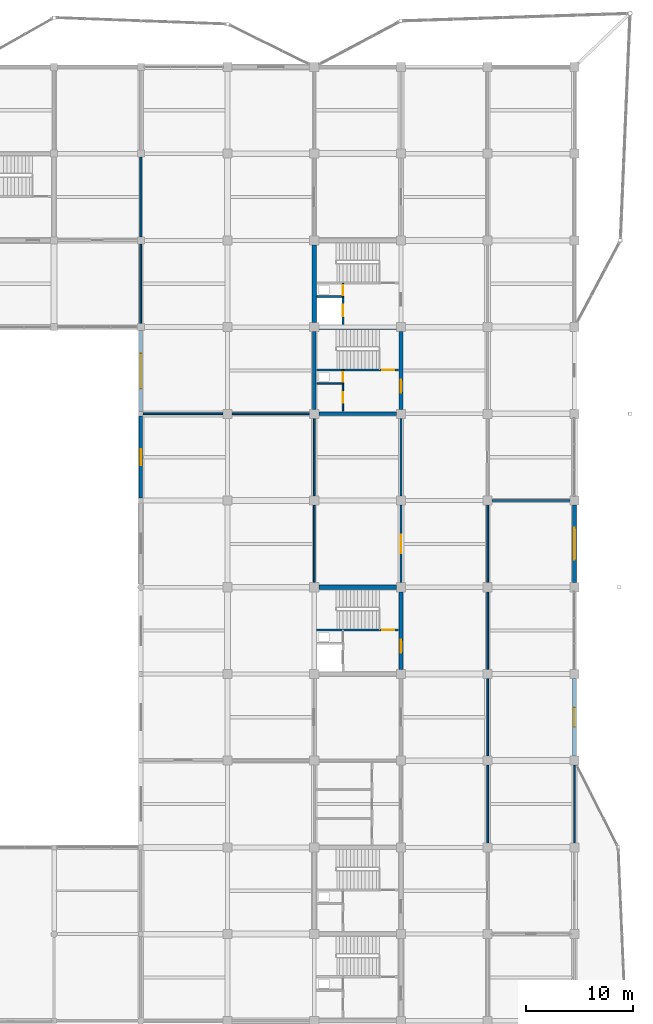
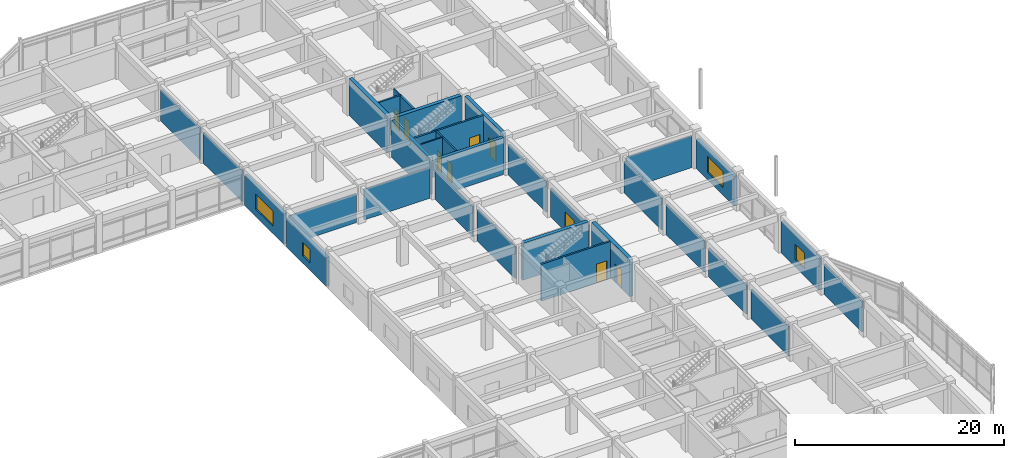
# One storey, part 71 of 93: 33 walls, 9 doors, 4 windows, 13 openings.
"""IFC4 building model written with IfcOpenShell, lengths in metres."""

from ifc_helpers import new_model, si_unit, direction, frame, frame_2d, origin, place, context, subcontext, project, spatial, rectangle, extrude, material, layer, layer_set, type_object, element, fill, save


model = new_model("IFC4")

# Units and contexts
model_context = context("Model", 3, precision=1e-05, world=origin(), true_north=direction((0.0, 1.0)))
body_context = subcontext(model_context, "Body", "Model", "MODEL_VIEW")
ifc_project = project(units=[si_unit("LENGTHUNIT", "METRE"), si_unit("AREAUNIT", "SQUARE_METRE"), si_unit("VOLUMEUNIT", "CUBIC_METRE"), si_unit("PLANEANGLEUNIT", "RADIAN"), si_unit("MASSUNIT", "GRAM", prefix="KILO")], contexts=[model_context])

# Site, building, storey
site_placement = place(None, origin())
site = spatial("IfcSite", under=ifc_project, at=site_placement, CompositionType="ELEMENT")
building_placement = place(site_placement, origin())
building = spatial("IfcBuilding", under=site, at=building_placement, Name="Vaudrelin Polytechnic", CompositionType="ELEMENT")
storey_placement = place(building_placement, frame((0.0, 0.0, 5.10009765625)))
storey = spatial("IfcBuildingStorey", under=building, at=storey_placement, Name="L01", CompositionType="ELEMENT", Elevation=5.10009765625)

# Wall, opening, window
ifc_material_1 = material(Name="Precast concrete 35 MPa with terracotta baguette screen", Category="masonry")
ifc_layer_1 = layer(ifc_material_1, 0.35009765625)
ifc_layer_set_1 = layer_set([ifc_layer_1], Name="Precast concrete 35 MPa with terracotta baguette screen")
wall_type_1 = type_object("IfcWallType", Name="WAL-EW-TERR350", PredefinedType="STANDARD", material=ifc_layer_set_1)
wall_1_placement = place(storey_placement, frame((170.10009765625, 57.123046875, 0.0), z_axis=(0.0, 0.0, 1.0), x_axis=(0.0, 1.0, 0.0)))
wall_1 = element("IfcWall", 1, at=wall_1_placement, inside=storey, type_object=wall_type_1, Name="Exterior wall L01 E_V4_05", PredefinedType="STANDARD", context=body_context, shape_type="SweptSolid", body=[
    extrude(rectangle(XDim=7.25390625, YDim=0.35009765625, at=frame_2d((3.626953125, 0.0))), origin(), (0.0, 0.0, 1.0), 3.661865234375),
])
opening_1_placement = place(wall_1_placement, frame((2.72705078125, 0.0, 0.85009765625)))
opening_1 = element("IfcOpeningElement", 2, at=opening_1_placement, cuts=wall_1, Name="Opening W-L01-E-V4-06", PredefinedType="OPENING", context=body_context, shape_type="SweptSolid", body=[
    extrude(rectangle(XDim=1.800048828125, YDim=1.800048828125, at=frame_2d((0.89990234375, 0.89990234375))), frame((0.0, 0.18505859375, 0.0), z_axis=(0.0, -1.0, 0.0), x_axis=(1.0, 0.0, 0.0)), (0.0, 0.0, 1.0), 0.3701171875),
])
ifc_material_2 = material(Name="Thermally broken aluminium frame with triple low-e glazing", Category="aluminium")
window_type_1 = type_object("IfcWindowType", Name="WIN-WN-02", PartitioningType="SINGLE_PANEL", PredefinedType="WINDOW", material=ifc_material_2)
window_1_placement = place(opening_1_placement, origin())
window_1 = element("IfcWindow", 3, at=window_1_placement, inside=storey, type_object=window_type_1, Name="Facade window L01-E_V4_05", OverallHeight=1.800048828125, OverallWidth=1.800048828125, PartitioningType="SINGLE_PANEL", PredefinedType="WINDOW", context=body_context, shape_type="SweptSolid", body=[
    extrude(rectangle(XDim=1.800048828125, YDim=1.800048828125, at=frame_2d((0.89990234375, 0.89990234375))), frame((0.0, 0.030029296875, 0.0), z_axis=(0.0, -1.0, 0.0), x_axis=(1.0, 0.0, 0.0)), (0.0, 0.0, 1.0), 0.06005859375),
])
fill(opening_1, window_1)

wall_2_placement = place(storey_placement, frame((170.10009765625, 73.322998046875, 0.0), z_axis=(0.0, 0.0, 1.0), x_axis=(0.0, 1.0, 0.0)))
wall_2 = element("IfcWall", 4, at=wall_2_placement, inside=storey, type_object=wall_type_1, Name="Exterior wall L01 E_V4_07", PredefinedType="STANDARD", context=body_context, shape_type="SweptSolid", body=[
    extrude(rectangle(XDim=7.25390625, YDim=0.35009765625, at=frame_2d((3.626953125, 0.0))), origin(), (0.0, 0.0, 1.0), 3.4619140625),
])
opening_2_placement = place(wall_2_placement, frame((2.126953125, 0.0, 0.85009765625)))
opening_2 = element("IfcOpeningElement", 5, at=opening_2_placement, cuts=wall_2, Name="Opening W-L01-E-V4-08", PredefinedType="OPENING", context=body_context, shape_type="SweptSolid", body=[
    extrude(rectangle(XDim=3.0, YDim=1.89990234375, at=frame_2d((1.5, 0.949951171875))), frame((0.0, 0.18505859375, 0.0), z_axis=(0.0, -1.0, 0.0), x_axis=(1.0, 0.0, 0.0)), (0.0, 0.0, 1.0), 0.3701171875),
])
window_type_2 = type_object("IfcWindowType", Name="WIN-WN-03", PartitioningType="SINGLE_PANEL", PredefinedType="WINDOW", material=ifc_material_2)
window_2_placement = place(opening_2_placement, origin())
window_2 = element("IfcWindow", 6, at=window_2_placement, inside=storey, type_object=window_type_2, Name="Facade window L01-E_V4_07", OverallHeight=1.89990234375, OverallWidth=3.0, PartitioningType="SINGLE_PANEL", PredefinedType="WINDOW", context=body_context, shape_type="SweptSolid", body=[
    extrude(rectangle(XDim=3.0, YDim=1.89990234375, at=frame_2d((1.5, 0.949951171875))), frame((0.0, 0.030029296875, 0.0), z_axis=(0.0, -1.0, 0.0), x_axis=(1.0, 0.0, 0.0)), (0.0, 0.0, 1.0), 0.06005859375),
])
fill(opening_2, window_2)

wall_3_placement = place(storey_placement, frame((129.60009765625, 81.222900390625, 0.0), z_axis=(0.0, 0.0, 1.0), x_axis=(0.0, 1.0, 0.0)))
wall_3 = element("IfcWall", 7, at=wall_3_placement, inside=storey, type_object=wall_type_1, Name="Exterior wall L01 CT_E_04", PredefinedType="STANDARD", context=body_context, shape_type="SweptSolid", body=[
    extrude(rectangle(XDim=7.654052734375, YDim=0.35009765625, at=frame_2d((3.8271484375, 0.0))), origin(), (0.0, 0.0, 1.0), 3.36181640625),
])
opening_3_placement = place(wall_3_placement, frame((3.076904296875, 0.0, 0.85009765625)))
opening_3 = element("IfcOpeningElement", 8, at=opening_3_placement, cuts=wall_3, Name="Opening W-L01-CT-E-05", PredefinedType="OPENING", context=body_context, shape_type="SweptSolid", body=[
    extrude(rectangle(XDim=1.5, YDim=1.550048828125, at=frame_2d((0.75, 0.77490234375))), frame((0.0, 0.18505859375, 0.0), z_axis=(0.0, -1.0, 0.0), x_axis=(1.0, 0.0, 0.0)), (0.0, 0.0, 1.0), 0.3701171875),
])
window_type_3 = type_object("IfcWindowType", Name="WIN-WN-24", PartitioningType="SINGLE_PANEL", PredefinedType="WINDOW", material=ifc_material_2)
window_3_placement = place(opening_3_placement, origin())
window_3 = element("IfcWindow", 9, at=window_3_placement, inside=storey, type_object=window_type_3, Name="Facade window L01-CT_E_04", OverallHeight=1.550048828125, OverallWidth=1.5, PartitioningType="SINGLE_PANEL", PredefinedType="WINDOW", context=body_context, shape_type="SweptSolid", body=[
    extrude(rectangle(XDim=1.5, YDim=1.550048828125, at=frame_2d((0.75, 0.77490234375))), frame((0.0, 0.030029296875, 0.0), z_axis=(0.0, -1.0, 0.0), x_axis=(1.0, 0.0, 0.0)), (0.0, 0.0, 1.0), 0.06005859375),
])
fill(opening_3, window_3)

wall_4_placement = place(storey_placement, frame((129.60009765625, 89.322998046875, 0.0), z_axis=(0.0, 0.0, 1.0), x_axis=(0.0, 1.0, 0.0)))
wall_4 = element("IfcWall", 10, at=wall_4_placement, inside=storey, type_object=wall_type_1, Name="Exterior wall L01 CT_E_05", PredefinedType="STANDARD", context=body_context, shape_type="SweptSolid", body=[
    extrude(rectangle(XDim=7.553955078125, YDim=0.35009765625, at=frame_2d((3.77685546875, 0.0))), origin(), (0.0, 0.0, 1.0), 3.56201171875),
])
opening_4_placement = place(wall_4_placement, frame((2.126953125, 0.0, 0.85009765625)))
opening_4 = element("IfcOpeningElement", 11, at=opening_4_placement, cuts=wall_4, Name="Opening W-L01-CT-E-06", PredefinedType="OPENING", context=body_context, shape_type="SweptSolid", body=[
    extrude(rectangle(XDim=3.300048828125, YDim=1.800048828125, at=frame_2d((1.64990234375, 0.89990234375))), frame((0.0, 0.18505859375, 0.0), z_axis=(0.0, -1.0, 0.0), x_axis=(1.0, 0.0, 0.0)), (0.0, 0.0, 1.0), 0.3701171875),
])
window_type_4 = type_object("IfcWindowType", Name="WIN-WN-25", PartitioningType="SINGLE_PANEL", PredefinedType="WINDOW", material=ifc_material_2)
window_4_placement = place(opening_4_placement, origin())
window_4 = element("IfcWindow", 12, at=window_4_placement, inside=storey, type_object=window_type_4, Name="Facade window L01-CT_E_05", OverallHeight=1.800048828125, OverallWidth=3.300048828125, PartitioningType="SINGLE_PANEL", PredefinedType="WINDOW", context=body_context, shape_type="SweptSolid", body=[
    extrude(rectangle(XDim=3.300048828125, YDim=1.800048828125, at=frame_2d((1.64990234375, 0.89990234375))), frame((0.0, 0.030029296875, 0.0), z_axis=(0.0, -1.0, 0.0), x_axis=(1.0, 0.0, 0.0)), (0.0, 0.0, 1.0), 0.06005859375),
])
fill(opening_4, window_4)

# Wall
ifc_material_3 = material(Name="Acoustic double-stud gypsum & mineral-wool partition", Category="gypsum")
ifc_layer_2 = layer(ifc_material_3, 0.179931640625)
ifc_layer_set_2 = layer_set([ifc_layer_2], Name="Acoustic double-stud gypsum & mineral-wool partition")
wall_type_2 = type_object("IfcWallType", Name="WAL-PW-AC180", PredefinedType="PARTITIONING", material=ifc_layer_set_2)
wall_5_placement = place(storey_placement, frame((129.60009765625, 105.623046875, 0.0), z_axis=(0.0, 0.0, 1.0), x_axis=(0.0, 1.0, 0.0)))
element("IfcWall", 13, at=wall_5_placement, inside=storey, type_object=wall_type_2, Name="Partition L01-020 E", PredefinedType="PARTITIONING", context=body_context, shape_type="SweptSolid", body=[
    extrude(rectangle(XDim=7.453857421875, YDim=0.179931640625, at=frame_2d((3.72705078125, 0.0))), origin(), (0.0, 0.0, 1.0), 3.65185546875),
])

# Wall, opening, door
ifc_material_4 = material(Name="Fire-rated steel-stud gypsum compartment wall", Category="steel")
ifc_layer_3 = layer(ifc_material_4, 0.14990234375)
ifc_layer_set_3 = layer_set([ifc_layer_3], Name="Fire-rated steel-stud gypsum compartment wall")
wall_type_3 = type_object("IfcWallType", Name="WAL-PW-FIRE60", PredefinedType="PARTITIONING", material=ifc_layer_set_3)
wall_6_placement = place(storey_placement, frame((148.47998046875, 100.050048828125, 0.0), z_axis=(0.0, 0.0, 1.0), x_axis=(0.0, 1.0, 0.0)))
wall_6 = element("IfcWall", 14, at=wall_6_placement, inside=storey, type_object=wall_type_3, Name="Core C6 riser enclosure wall L01", PredefinedType="PARTITIONING", context=body_context, shape_type="SweptSolid", body=[
    extrude(rectangle(XDim=1.260009765625, YDim=0.14990234375, at=frame_2d((0.6298828125, 0.0))), origin(), (0.0, 0.0, 1.0), 4.31201171875),
])
opening_5_placement = place(wall_6_placement, frame((0.139892578125, 0.0, 0.0)))
opening_5 = element("IfcOpeningElement", 15, at=opening_5_placement, cuts=wall_6, Name="Opening D-L01-092", PredefinedType="OPENING", context=body_context, shape_type="SweptSolid", body=[
    extrude(rectangle(XDim=0.89990234375, YDim=2.14990234375, at=frame_2d((0.449951171875, 1.074951171875))), frame((0.0, 0.0849609375, 0.0), z_axis=(0.0, -1.0, 0.0), x_axis=(1.0, 0.0, 0.0)), (0.0, 0.0, 1.0), 0.169921875),
])
ifc_material_5 = material(Name="Pressed galvanised steel acoustic leaf", Category="steel")
door_type_1 = type_object("IfcDoorType", Name="DOR-ID-RSR1", OperationType="NOTDEFINED", PredefinedType="DOOR", material=ifc_material_5)
door_1_placement = place(opening_5_placement, origin())
door_1 = element("IfcDoor", 16, at=door_1_placement, inside=storey, type_object=door_type_1, Name="Core C6 riser access door L01", OperationType="SINGLE_SWING_RIGHT", OverallHeight=2.14990234375, OverallWidth=0.89990234375, PredefinedType="DOOR", context=body_context, shape_type="SweptSolid", body=[
    extrude(rectangle(XDim=0.89990234375, YDim=2.14990234375, at=frame_2d((0.449951171875, 1.074951171875))), frame((0.0, 0.02490234375, 0.0), z_axis=(0.0, -1.0, 0.0), x_axis=(1.0, 0.0, 0.0)), (0.0, 0.0, 1.0), 0.050048828125),
])
fill(opening_5, door_1)

wall_7_placement = place(storey_placement, frame((148.47998046875, 91.949951171875, 0.0), z_axis=(0.0, 0.0, 1.0), x_axis=(0.0, 1.0, 0.0)))
wall_7 = element("IfcWall", 17, at=wall_7_placement, inside=storey, type_object=wall_type_3, Name="Core C13 riser enclosure wall L01", PredefinedType="PARTITIONING", context=body_context, shape_type="SweptSolid", body=[
    extrude(rectangle(XDim=1.260009765625, YDim=0.14990234375, at=frame_2d((0.6298828125, 0.0))), origin(), (0.0, 0.0, 1.0), 4.31201171875),
])
opening_6_placement = place(wall_7_placement, frame((0.139892578125, 0.0, 0.0)))
opening_6 = element("IfcOpeningElement", 18, at=opening_6_placement, cuts=wall_7, Name="Opening D-L01-303", PredefinedType="OPENING", context=body_context, shape_type="SweptSolid", body=[
    extrude(rectangle(XDim=0.89990234375, YDim=2.14990234375, at=frame_2d((0.449951171875, 1.074951171875))), frame((0.0, 0.0849609375, 0.0), z_axis=(0.0, -1.0, 0.0), x_axis=(1.0, 0.0, 0.0)), (0.0, 0.0, 1.0), 0.169921875),
])
door_2_placement = place(opening_6_placement, origin())
door_2 = element("IfcDoor", 19, at=door_2_placement, inside=storey, type_object=door_type_1, Name="Core C13 riser access door L01", OperationType="SINGLE_SWING_RIGHT", OverallHeight=2.14990234375, OverallWidth=0.89990234375, PredefinedType="DOOR", context=body_context, shape_type="SweptSolid", body=[
    extrude(rectangle(XDim=0.89990234375, YDim=2.14990234375, at=frame_2d((0.449951171875, 1.074951171875))), frame((0.0, 0.02490234375, 0.0), z_axis=(0.0, -1.0, 0.0), x_axis=(1.0, 0.0, 0.0)), (0.0, 0.0, 1.0), 0.050048828125),
])
fill(opening_6, door_2)

# Wall
wall_8_placement = place(storey_placement, frame((146.02001953125, 91.949951171875, 0.0), z_axis=(0.0, 0.0, 1.0), x_axis=(1.0, 0.0, 0.0)))
element("IfcWall", 20, at=wall_8_placement, inside=storey, type_object=wall_type_3, Name="Core C13 riser south fire wall L01", PredefinedType="PARTITIONING", context=body_context, shape_type="SweptSolid", body=[
    extrude(rectangle(XDim=2.530029296875, YDim=0.14990234375, at=frame_2d((1.26513671875, 0.0))), origin(), (0.0, 0.0, 1.0), 4.31201171875),
])

# Wall, opening, door
wall_9_placement = place(storey_placement, frame((148.47998046875, 89.35009765625, 0.0), z_axis=(0.0, 0.0, 1.0), x_axis=(0.0, 1.0, 0.0)))
wall_9 = element("IfcWall", 21, at=wall_9_placement, inside=storey, type_object=wall_type_3, Name="Core C13 custodial enclosure wall L01", PredefinedType="PARTITIONING", context=body_context, shape_type="SweptSolid", body=[
    extrude(rectangle(XDim=2.599853515625, YDim=0.14990234375, at=frame_2d((1.2998046875, 0.0))), origin(), (0.0, 0.0, 1.0), 4.31201171875),
])
opening_7_placement = place(wall_9_placement, frame((0.800048828125, 0.0, 0.0)))
opening_7 = element("IfcOpeningElement", 22, at=opening_7_placement, cuts=wall_9, Name="Opening D-L01-304", PredefinedType="OPENING", context=body_context, shape_type="SweptSolid", body=[
    extrude(rectangle(XDim=0.949951171875, YDim=2.14990234375, at=frame_2d((0.47509765625, 1.074951171875))), frame((0.0, 0.0849609375, 0.0), z_axis=(0.0, -1.0, 0.0), x_axis=(1.0, 0.0, 0.0)), (0.0, 0.0, 1.0), 0.169921875),
])
door_type_2 = type_object("IfcDoorType", Name="DOR-ID-STR1", OperationType="NOTDEFINED", PredefinedType="DOOR", material=ifc_material_5)
door_3_placement = place(opening_7_placement, origin())
door_3 = element("IfcDoor", 23, at=door_3_placement, inside=storey, type_object=door_type_2, Name="Core C13 custodial door L01", OperationType="SINGLE_SWING_RIGHT", OverallHeight=2.14990234375, OverallWidth=0.949951171875, PredefinedType="DOOR", context=body_context, shape_type="SweptSolid", body=[
    extrude(rectangle(XDim=0.949951171875, YDim=2.14990234375, at=frame_2d((0.47509765625, 1.074951171875))), frame((0.0, 0.02490234375, 0.0), z_axis=(0.0, -1.0, 0.0), x_axis=(1.0, 0.0, 0.0)), (0.0, 0.0, 1.0), 0.050048828125),
])
fill(opening_7, door_3)

# Walls
ifc_material_6 = material(Name="Moisture- and chemical-resistant laboratory partition", Category="gypsum")
ifc_layer_4 = layer(ifc_material_6, 0.159912109375)
ifc_layer_set_4 = layer_set([ifc_layer_4], Name="Moisture- and chemical-resistant laboratory partition")
wall_type_4 = type_object("IfcWallType", Name="WAL-PW-LAB160", PredefinedType="PARTITIONING", material=ifc_layer_set_4)
wall_10_placement = place(storey_placement, frame((145.800048828125, 73.322998046875, 0.0), z_axis=(0.0, 0.0, 1.0), x_axis=(0.0, 1.0, 0.0)))
element("IfcWall", 24, at=wall_10_placement, inside=storey, type_object=wall_type_4, Name="Partition L01-023 E", PredefinedType="PARTITIONING", context=body_context, shape_type="SweptSolid", body=[
    extrude(rectangle(XDim=7.25390625, YDim=0.159912109375, at=frame_2d((3.626953125, 0.0))), origin(), (0.0, 0.0, 1.0), 3.7119140625),
])
wall_11_placement = place(storey_placement, frame((145.800048828125, 81.423095703125, 0.0), z_axis=(0.0, 0.0, 1.0), x_axis=(0.0, 1.0, 0.0)))
element("IfcWall", 25, at=wall_11_placement, inside=storey, type_object=wall_type_4, Name="Partition L01-023 E", PredefinedType="PARTITIONING", context=body_context, shape_type="SweptSolid", body=[
    extrude(rectangle(XDim=7.25390625, YDim=0.159912109375, at=frame_2d((3.626953125, 0.0))), origin(), (0.0, 0.0, 1.0), 3.4619140625),
])
wall_12_placement = place(storey_placement, frame((129.822998046875, 89.10009765625, 0.0), z_axis=(0.0, 0.0, 1.0), x_axis=(1.0, 0.0, 0.0)))
element("IfcWall", 26, at=wall_12_placement, inside=storey, type_object=wall_type_4, Name="Partition L01-023 N", PredefinedType="PARTITIONING", context=body_context, shape_type="SweptSolid", body=[
    extrude(rectangle(XDim=7.4541015625, YDim=0.159912109375, at=frame_2d((3.72705078125, 0.0))), origin(), (0.0, 0.0, 1.0), 3.36181640625),
])
wall_13_placement = place(storey_placement, frame((138.123046875, 89.10009765625, 0.0), z_axis=(0.0, 0.0, 1.0), x_axis=(1.0, 0.0, 0.0)))
element("IfcWall", 27, at=wall_13_placement, inside=storey, type_object=wall_type_4, Name="Partition L01-023 N", PredefinedType="PARTITIONING", context=body_context, shape_type="SweptSolid", body=[
    extrude(rectangle(XDim=7.25390625, YDim=0.159912109375, at=frame_2d((3.626953125, 0.0))), origin(), (0.0, 0.0, 1.0), 3.56201171875),
])

# Wall, opening, door
wall_14_placement = place(storey_placement, frame((153.89990234375, 73.322998046875, 0.0), z_axis=(0.0, 0.0, 1.0), x_axis=(0.0, 1.0, 0.0)))
wall_14 = element("IfcWall", 28, at=wall_14_placement, inside=storey, type_object=wall_type_4, Name="Partition L01-024 E", PredefinedType="PARTITIONING", context=body_context, shape_type="SweptSolid", body=[
    extrude(rectangle(XDim=7.25390625, YDim=0.159912109375, at=frame_2d((3.626953125, 0.0))), origin(), (0.0, 0.0, 1.0), 3.36181640625),
])
opening_8_placement = place(wall_14_placement, frame((2.76708984375, 0.0, 0.0)))
opening_8 = element("IfcOpeningElement", 29, at=opening_8_placement, cuts=wall_14, Name="Opening D-L01-460", PredefinedType="OPENING", context=body_context, shape_type="SweptSolid", body=[
    extrude(rectangle(XDim=1.719970703125, YDim=2.300048828125, at=frame_2d((0.85986328125, 1.14990234375))), frame((0.0, 0.08984375, 0.0), z_axis=(0.0, -1.0, 0.0), x_axis=(1.0, 0.0, 0.0)), (0.0, 0.0, 1.0), 0.179931640625),
])
door_type_3 = type_object("IfcDoorType", Name="DOR-ID-LAB5", OperationType="NOTDEFINED", PredefinedType="DOOR", material=ifc_material_5)
door_4_placement = place(opening_8_placement, origin())
door_4 = element("IfcDoor", 30, at=door_4_placement, inside=storey, type_object=door_type_3, Name="Laser Diagnostics Laboratory door L01-024", OperationType="DOUBLE_SWING_LEFT", OverallHeight=2.300048828125, OverallWidth=1.719970703125, PredefinedType="DOOR", context=body_context, shape_type="SweptSolid", body=[
    extrude(rectangle(XDim=1.719970703125, YDim=2.300048828125, at=frame_2d((0.85986328125, 1.14990234375))), frame((0.0, 0.02490234375, 0.0), z_axis=(0.0, -1.0, 0.0), x_axis=(1.0, 0.0, 0.0)), (0.0, 0.0, 1.0), 0.050048828125),
])
fill(opening_8, door_4)

# Walls
wall_15_placement = place(storey_placement, frame((153.89990234375, 81.423095703125, 0.0), z_axis=(0.0, 0.0, 1.0), x_axis=(0.0, 1.0, 0.0)))
element("IfcWall", 31, at=wall_15_placement, inside=storey, type_object=wall_type_4, Name="Partition L01-024 E", PredefinedType="PARTITIONING", context=body_context, shape_type="SweptSolid", body=[
    extrude(rectangle(XDim=7.25390625, YDim=0.159912109375, at=frame_2d((3.626953125, 0.0))), origin(), (0.0, 0.0, 1.0), 3.56201171875),
])
wall_16_placement = place(storey_placement, frame((129.60009765625, 97.52294921875, 0.0), z_axis=(0.0, 0.0, 1.0), x_axis=(0.0, 1.0, 0.0)))
element("IfcWall", 32, at=wall_16_placement, inside=storey, type_object=wall_type_4, Name="Partition L01-025 W", PredefinedType="PARTITIONING", context=body_context, shape_type="SweptSolid", body=[
    extrude(rectangle(XDim=7.4541015625, YDim=0.159912109375, at=frame_2d((3.72705078125, 0.0))), origin(), (0.0, 0.0, 1.0), 3.601806640625),
])
wall_17_placement = place(storey_placement, frame((162.0, 49.02294921875, 0.0), z_axis=(0.0, 0.0, 1.0), x_axis=(0.0, 1.0, 0.0)))
element("IfcWall", 33, at=wall_17_placement, inside=storey, type_object=wall_type_4, Name="Partition L01-029 W", PredefinedType="PARTITIONING", context=body_context, shape_type="SweptSolid", body=[
    extrude(rectangle(XDim=7.254150390625, YDim=0.159912109375, at=frame_2d((3.626953125, 0.0))), origin(), (0.0, 0.0, 1.0), 3.4619140625),
])
wall_18_placement = place(storey_placement, frame((162.0, 57.123046875, 0.0), z_axis=(0.0, 0.0, 1.0), x_axis=(0.0, 1.0, 0.0)))
element("IfcWall", 34, at=wall_18_placement, inside=storey, type_object=wall_type_4, Name="Partition L01-029 W", PredefinedType="PARTITIONING", context=body_context, shape_type="SweptSolid", body=[
    extrude(rectangle(XDim=7.25390625, YDim=0.159912109375, at=frame_2d((3.626953125, 0.0))), origin(), (0.0, 0.0, 1.0), 3.36181640625),
])
wall_19_placement = place(storey_placement, frame((162.0, 65.222900390625, 0.0), z_axis=(0.0, 0.0, 1.0), x_axis=(0.0, 1.0, 0.0)))
element("IfcWall", 35, at=wall_19_placement, inside=storey, type_object=wall_type_4, Name="Partition L01-029 W", PredefinedType="PARTITIONING", context=body_context, shape_type="SweptSolid", body=[
    extrude(rectangle(XDim=7.254150390625, YDim=0.159912109375, at=frame_2d((3.626953125, 0.0))), origin(), (0.0, 0.0, 1.0), 3.56201171875),
])
wall_20_placement = place(storey_placement, frame((162.0, 73.322998046875, 0.0), z_axis=(0.0, 0.0, 1.0), x_axis=(0.0, 1.0, 0.0)))
element("IfcWall", 36, at=wall_20_placement, inside=storey, type_object=wall_type_4, Name="Partition L01-029 W", PredefinedType="PARTITIONING", context=body_context, shape_type="SweptSolid", body=[
    extrude(rectangle(XDim=7.25390625, YDim=0.159912109375, at=frame_2d((3.626953125, 0.0))), origin(), (0.0, 0.0, 1.0), 3.661865234375),
])
wall_21_placement = place(storey_placement, frame((162.423095703125, 81.0, 0.0), z_axis=(0.0, 0.0, 1.0), x_axis=(1.0, 0.0, 0.0)))
element("IfcWall", 37, at=wall_21_placement, inside=storey, type_object=wall_type_4, Name="Partition L01-029 N", PredefinedType="PARTITIONING", context=body_context, shape_type="SweptSolid", body=[
    extrude(rectangle(XDim=7.25390625, YDim=0.159912109375, at=frame_2d((3.626953125, 0.0))), origin(), (0.0, 0.0, 1.0), 3.7119140625),
])
wall_22_placement = place(storey_placement, frame((170.10009765625, 49.02294921875, 0.0), z_axis=(0.0, 0.0, 1.0), x_axis=(0.0, 1.0, 0.0)))
element("IfcWall", 38, at=wall_22_placement, inside=storey, type_object=wall_type_4, Name="Partition L01-029 E", PredefinedType="PARTITIONING", context=body_context, shape_type="SweptSolid", body=[
    extrude(rectangle(XDim=7.254150390625, YDim=0.159912109375, at=frame_2d((3.626953125, 0.0))), origin(), (0.0, 0.0, 1.0), 3.56201171875),
])

# Wall, opening, door
ifc_material_7 = material(Name="Concrete 40 MPa", Category="concrete")
ifc_layer_5 = layer(ifc_material_7, 0.199951171875)
ifc_layer_set_5 = layer_set([ifc_layer_5], Name="Concrete 40 MPa")
wall_type_5 = type_object("IfcWallType", Name="WAL-SW-CORE200", PredefinedType="SHEAR", material=ifc_layer_set_5)
wall_23_placement = place(storey_placement, frame((148.47998046875, 97.449951171875, 0.0), z_axis=(0.0, 0.0, 1.0), x_axis=(0.0, 1.0, 0.0)))
wall_23 = element("IfcWall", 39, at=wall_23_placement, inside=storey, type_object=wall_type_5, Name="Lift LF-06 shaft front wall L01", PredefinedType="SHEAR", context=body_context, shape_type="SweptSolid", body=[
    extrude(rectangle(XDim=2.60009765625, YDim=0.199951171875, at=frame_2d((1.300048828125, 0.0))), origin(), (0.0, 0.0, 1.0), 4.31201171875),
])
opening_9_placement = place(wall_23_placement, frame((0.75, 0.0, 0.0)))
opening_9 = element("IfcOpeningElement", 40, at=opening_9_placement, cuts=wall_23, Name="Opening LD-LF-06-L01", PredefinedType="OPENING", context=body_context, shape_type="SweptSolid", body=[
    extrude(rectangle(XDim=1.10009765625, YDim=2.199951171875, at=frame_2d((0.550048828125, 1.10009765625))), frame((0.0, 0.10986328125, 0.0), z_axis=(0.0, -1.0, 0.0), x_axis=(1.0, 0.0, 0.0)), (0.0, 0.0, 1.0), 0.219970703125),
])
ifc_material_8 = material(Name="Brushed stainless steel AISI 304", Category="steel")
door_type_4 = type_object("IfcDoorType", Name="DOR-LD-PAX", OperationType="SLIDING_TO_LEFT", PredefinedType="DOOR", material=ifc_material_8)
door_5_placement = place(opening_9_placement, origin())
door_5 = element("IfcDoor", 41, at=door_5_placement, inside=storey, type_object=door_type_4, Name="Lift LF-06 landing door L01", OperationType="SLIDING_TO_LEFT", OverallHeight=2.199951171875, OverallWidth=1.10009765625, PredefinedType="DOOR", context=body_context, shape_type="SweptSolid", body=[
    extrude(rectangle(XDim=1.10009765625, YDim=2.199951171875, at=frame_2d((0.550048828125, 1.10009765625))), frame((0.0, 0.02490234375, 0.0), z_axis=(0.0, -1.0, 0.0), x_axis=(1.0, 0.0, 0.0)), (0.0, 0.0, 1.0), 0.050048828125),
])
fill(opening_9, door_5)

# Wall
wall_24_placement = place(storey_placement, frame((146.02001953125, 100.050048828125, 0.0), z_axis=(0.0, 0.0, 1.0), x_axis=(1.0, 0.0, 0.0)))
element("IfcWall", 42, at=wall_24_placement, inside=storey, type_object=wall_type_5, Name="Lift LF-06 shaft north wall L01", PredefinedType="SHEAR", context=body_context, shape_type="SweptSolid", body=[
    extrude(rectangle(XDim=2.56005859375, YDim=0.199951171875, at=frame_2d((1.280029296875, 0.0))), origin(), (0.0, 0.0, 1.0), 4.31201171875),
])

# Wall, opening, door
wall_25_placement = place(storey_placement, frame((146.02001953125, 68.909912109375, 0.0), z_axis=(0.0, 0.0, 1.0), x_axis=(1.0, 0.0, 0.0)))
wall_25 = element("IfcWall", 43, at=wall_25_placement, inside=storey, type_object=wall_type_5, Name="Core C7 stair enclosure wall L01", PredefinedType="SHEAR", context=body_context, shape_type="SweptSolid", body=[
    extrude(rectangle(XDim=7.659912109375, YDim=0.199951171875, at=frame_2d((3.830078125, 0.0))), origin(), (0.0, 0.0, 1.0), 4.31201171875),
])
opening_10_placement = place(wall_25_placement, frame((6.110107421875, 0.0, 0.0)))
opening_10 = element("IfcOpeningElement", 44, at=opening_10_placement, cuts=wall_25, Name="Opening D-L01-118", PredefinedType="OPENING", context=body_context, shape_type="SweptSolid", body=[
    extrude(rectangle(XDim=1.14990234375, YDim=2.199951171875, at=frame_2d((0.574951171875, 1.10009765625))), frame((0.0, 0.10986328125, 0.0), z_axis=(0.0, -1.0, 0.0), x_axis=(1.0, 0.0, 0.0)), (0.0, 0.0, 1.0), 0.219970703125),
])
door_type_5 = type_object("IfcDoorType", Name="DOR-ID-ST1", OperationType="NOTDEFINED", PredefinedType="DOOR", material=ifc_material_5)
door_6_placement = place(opening_10_placement, origin())
door_6 = element("IfcDoor", 45, at=door_6_placement, inside=storey, type_object=door_type_5, Name="Core C7 exit stair door L01", OperationType="SINGLE_SWING_LEFT", OverallHeight=2.199951171875, OverallWidth=1.14990234375, PredefinedType="DOOR", context=body_context, shape_type="SweptSolid", body=[
    extrude(rectangle(XDim=1.14990234375, YDim=2.199951171875, at=frame_2d((0.574951171875, 1.10009765625))), frame((0.0, 0.02490234375, 0.0), z_axis=(0.0, -1.0, 0.0), x_axis=(1.0, 0.0, 0.0)), (0.0, 0.0, 1.0), 0.050048828125),
])
fill(opening_10, door_6)

wall_26_placement = place(storey_placement, frame((146.02001953125, 93.2099609375, 0.0), z_axis=(0.0, 0.0, 1.0), x_axis=(1.0, 0.0, 0.0)))
wall_26 = element("IfcWall", 46, at=wall_26_placement, inside=storey, type_object=wall_type_5, Name="Core C13 stair enclosure wall L01", PredefinedType="SHEAR", context=body_context, shape_type="SweptSolid", body=[
    extrude(rectangle(XDim=7.659912109375, YDim=0.199951171875, at=frame_2d((3.830078125, 0.0))), origin(), (0.0, 0.0, 1.0), 4.31201171875),
])
opening_11_placement = place(wall_26_placement, frame((6.110107421875, 0.0, 0.0)))
opening_11 = element("IfcOpeningElement", 47, at=opening_11_placement, cuts=wall_26, Name="Opening D-L01-302", PredefinedType="OPENING", context=body_context, shape_type="SweptSolid", body=[
    extrude(rectangle(XDim=1.14990234375, YDim=2.199951171875, at=frame_2d((0.574951171875, 1.10009765625))), frame((0.0, 0.10986328125, 0.0), z_axis=(0.0, -1.0, 0.0), x_axis=(1.0, 0.0, 0.0)), (0.0, 0.0, 1.0), 0.219970703125),
])
door_7_placement = place(opening_11_placement, origin())
door_7 = element("IfcDoor", 48, at=door_7_placement, inside=storey, type_object=door_type_5, Name="Core C13 exit stair door L01", OperationType="SINGLE_SWING_LEFT", OverallHeight=2.199951171875, OverallWidth=1.14990234375, PredefinedType="DOOR", context=body_context, shape_type="SweptSolid", body=[
    extrude(rectangle(XDim=1.14990234375, YDim=2.199951171875, at=frame_2d((0.574951171875, 1.10009765625))), frame((0.0, 0.02490234375, 0.0), z_axis=(0.0, -1.0, 0.0), x_axis=(1.0, 0.0, 0.0)), (0.0, 0.0, 1.0), 0.050048828125),
])
fill(opening_11, door_7)

# Wall
ifc_material_9 = material(Name="Concrete 50 MPa", Category="concrete")
ifc_layer_6 = layer(ifc_material_9, 0.35009765625)
ifc_layer_set_6 = layer_set([ifc_layer_6], Name="Concrete 50 MPa")
wall_type_6 = type_object("IfcWallType", Name="WAL-SW-CORE350", PredefinedType="SHEAR", material=ifc_layer_set_6)
wall_27_placement = place(storey_placement, frame((145.800048828125, 89.52294921875, 0.0), z_axis=(0.0, 0.0, 1.0), x_axis=(0.0, 1.0, 0.0)))
element("IfcWall", 49, at=wall_27_placement, inside=storey, type_object=wall_type_6, Name="Core C13 W shear wall L01", PredefinedType="SHEAR", context=body_context, shape_type="SweptSolid", body=[
    extrude(rectangle(XDim=7.254150390625, YDim=0.35009765625, at=frame_2d((3.626953125, 0.0))), origin(), (0.0, 0.0, 1.0), 4.31201171875),
])

# Wall, opening, door
wall_28_placement = place(storey_placement, frame((153.89990234375, 89.52294921875, 0.0), z_axis=(0.0, 0.0, 1.0), x_axis=(0.0, 1.0, 0.0)))
wall_28 = element("IfcWall", 50, at=wall_28_placement, inside=storey, type_object=wall_type_6, Name="Core C13 E shear wall L01", PredefinedType="SHEAR", context=body_context, shape_type="SweptSolid", body=[
    extrude(rectangle(XDim=7.254150390625, YDim=0.35009765625, at=frame_2d((3.626953125, 0.0))), origin(), (0.0, 0.0, 1.0), 4.31201171875),
])
opening_12_placement = place(wall_28_placement, frame((1.550048828125, 0.0, 0.0)))
opening_12 = element("IfcOpeningElement", 51, at=opening_12_placement, cuts=wall_28, Name="Opening D-L01-301", PredefinedType="OPENING", context=body_context, shape_type="SweptSolid", body=[
    extrude(rectangle(XDim=1.199951171875, YDim=2.199951171875, at=frame_2d((0.60009765625, 1.10009765625))), frame((0.0, 0.18505859375, 0.0), z_axis=(0.0, -1.0, 0.0), x_axis=(1.0, 0.0, 0.0)), (0.0, 0.0, 1.0), 0.3701171875),
])
door_type_6 = type_object("IfcDoorType", Name="DOR-ID-LB1", OperationType="NOTDEFINED", PredefinedType="DOOR", material=ifc_material_5)
door_8_placement = place(opening_12_placement, origin())
door_8 = element("IfcDoor", 52, at=door_8_placement, inside=storey, type_object=door_type_6, Name="Core C13 lobby fire door L01", OperationType="SINGLE_SWING_LEFT", OverallHeight=2.199951171875, OverallWidth=1.199951171875, PredefinedType="DOOR", context=body_context, shape_type="SweptSolid", body=[
    extrude(rectangle(XDim=1.199951171875, YDim=2.199951171875, at=frame_2d((0.60009765625, 1.10009765625))), frame((0.0, 0.02490234375, 0.0), z_axis=(0.0, -1.0, 0.0), x_axis=(1.0, 0.0, 0.0)), (0.0, 0.0, 1.0), 0.050048828125),
])
fill(opening_12, door_8)

# Walls
wall_29_placement = place(storey_placement, frame((146.222900390625, 89.10009765625, 0.0), z_axis=(0.0, 0.0, 1.0), x_axis=(1.0, 0.0, 0.0)))
element("IfcWall", 53, at=wall_29_placement, inside=storey, type_object=wall_type_6, Name="Core C13 S shear wall L01", PredefinedType="SHEAR", context=body_context, shape_type="SweptSolid", body=[
    extrude(rectangle(XDim=7.254150390625, YDim=0.35009765625, at=frame_2d((3.626953125, 0.0))), origin(), (0.0, 0.0, 1.0), 4.31201171875),
])
ifc_layer_7 = layer(ifc_material_9, 0.39990234375)
ifc_layer_set_7 = layer_set([ifc_layer_7], Name="Concrete 50 MPa")
wall_type_7 = type_object("IfcWallType", Name="WAL-SW-CORE400", PredefinedType="SHEAR", material=ifc_layer_set_7)
wall_30_placement = place(storey_placement, frame((145.800048828125, 97.623046875, 0.0), z_axis=(0.0, 0.0, 1.0), x_axis=(0.0, 1.0, 0.0)))
element("IfcWall", 54, at=wall_30_placement, inside=storey, type_object=wall_type_7, Name="Core C6 W shear wall L01", PredefinedType="SHEAR", context=body_context, shape_type="SweptSolid", body=[
    extrude(rectangle(XDim=7.25390625, YDim=0.39990234375, at=frame_2d((3.626953125, 0.0))), origin(), (0.0, 0.0, 1.0), 4.31201171875),
])
for number, where, z_axis, x_axis, name in (
    (55, (146.222900390625, 97.199951171875, 0.0), (0.0, 0.0, 1.0), (1.0, 0.0, 0.0), "Core C6 S shear wall L01"),
    (56, (146.222900390625, 72.89990234375, 0.0), (0.0, 0.0, 1.0), (1.0, 0.0, 0.0), "Core C7 N shear wall L01"),
):
    element("IfcWall", number, at=place(storey_placement, frame(where, z_axis=z_axis, x_axis=x_axis)), inside=storey, type_object=wall_type_7, Name=name, PredefinedType="SHEAR", context=body_context, shape_type="SweptSolid", body=[
        extrude(rectangle(XDim=7.254150390625, YDim=0.39990234375, at=frame_2d((3.626953125, 0.0))), origin(), (0.0, 0.0, 1.0), 4.31201171875),
    ])

# Wall, opening, door
wall_31_placement = place(storey_placement, frame((153.89990234375, 65.222900390625, 0.0), z_axis=(0.0, 0.0, 1.0), x_axis=(0.0, 1.0, 0.0)))
wall_31 = element("IfcWall", 57, at=wall_31_placement, inside=storey, type_object=wall_type_7, Name="Core C7 E shear wall L01", PredefinedType="SHEAR", context=body_context, shape_type="SweptSolid", body=[
    extrude(rectangle(XDim=7.254150390625, YDim=0.39990234375, at=frame_2d((3.626953125, 0.0))), origin(), (0.0, 0.0, 1.0), 4.31201171875),
])
opening_13_placement = place(wall_31_placement, frame((1.550048828125, 0.0, 0.0)))
opening_13 = element("IfcOpeningElement", 58, at=opening_13_placement, cuts=wall_31, Name="Opening D-L01-117", PredefinedType="OPENING", context=body_context, shape_type="SweptSolid", body=[
    extrude(rectangle(XDim=1.199951171875, YDim=2.199951171875, at=frame_2d((0.60009765625, 1.10009765625))), frame((0.0, 0.2099609375, 0.0), z_axis=(0.0, -1.0, 0.0), x_axis=(1.0, 0.0, 0.0)), (0.0, 0.0, 1.0), 0.419921875),
])
door_9_placement = place(opening_13_placement, origin())
door_9 = element("IfcDoor", 59, at=door_9_placement, inside=storey, type_object=door_type_6, Name="Core C7 lobby fire door L01", OperationType="SINGLE_SWING_RIGHT", OverallHeight=2.199951171875, OverallWidth=1.199951171875, PredefinedType="DOOR", context=body_context, shape_type="SweptSolid", body=[
    extrude(rectangle(XDim=1.199951171875, YDim=2.199951171875, at=frame_2d((0.60009765625, 1.10009765625))), frame((0.0, 0.02490234375, 0.0), z_axis=(0.0, -1.0, 0.0), x_axis=(1.0, 0.0, 0.0)), (0.0, 0.0, 1.0), 0.050048828125),
])
fill(opening_13, door_9)

save(model, "model.ifc")
